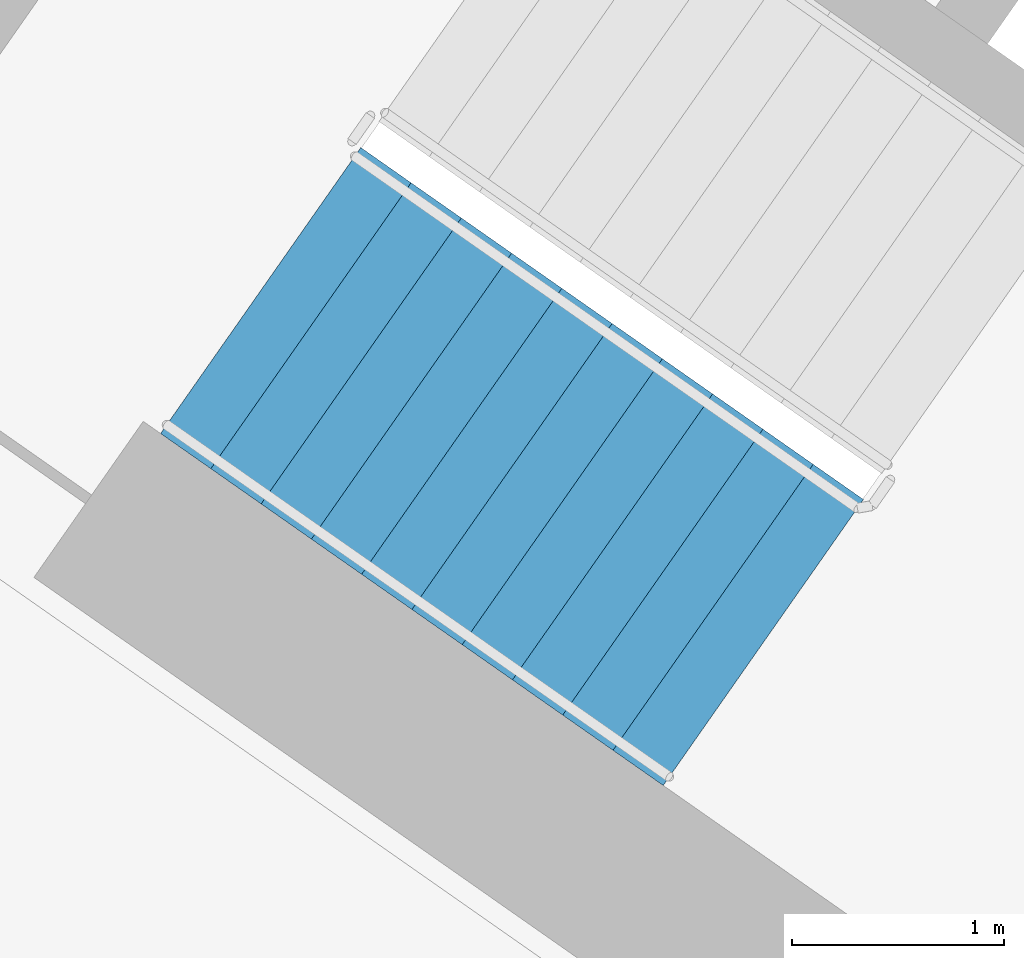
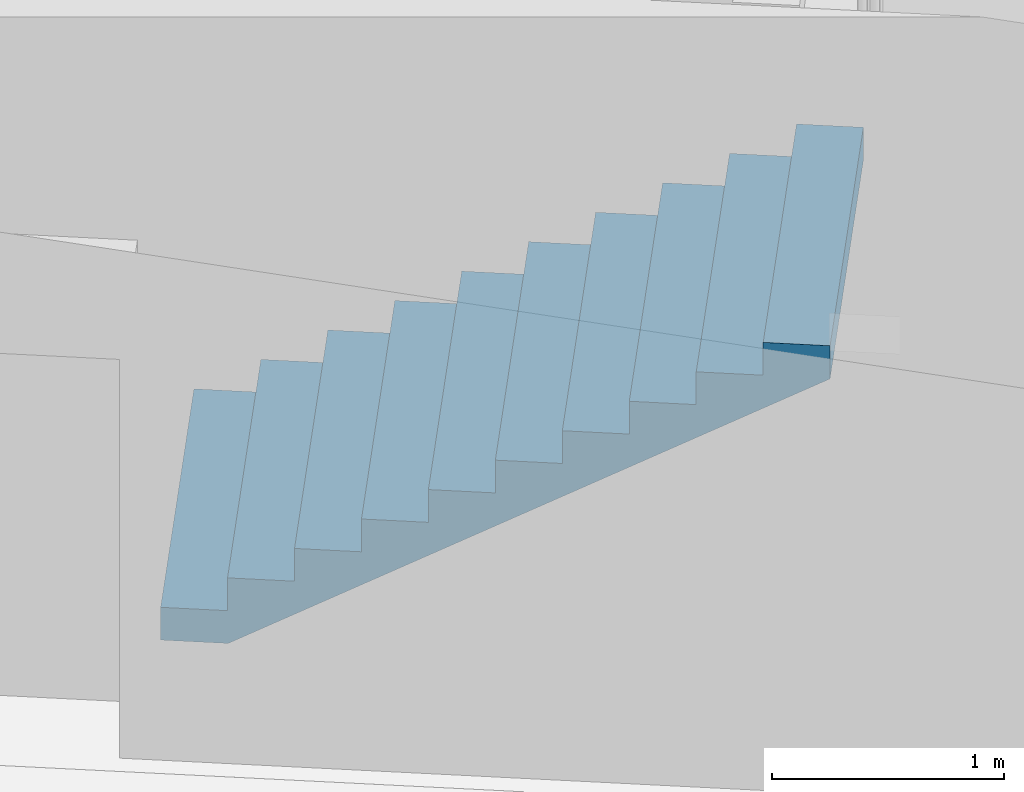
# One storey, part 10 of 35: 1 stair flight, 1 element without a shape of its own.
"""IFC4 building model written with IfcOpenShell, lengths in metres."""

from ifc_helpers import new_model, si_unit, direction, frame, origin, place, context, subcontext, project, spatial, faceted_brep, material, type_object, element, aggregate, save


model = new_model("IFC4")

# Units and contexts
model_context = context("Model", 3, precision=1e-05, world=origin(), true_north=direction((0.0, 1.0)))
body_context = subcontext(model_context, "Body", "Model", "MODEL_VIEW")
ifc_project = project(units=[si_unit("LENGTHUNIT", "METRE"), si_unit("AREAUNIT", "SQUARE_METRE"), si_unit("VOLUMEUNIT", "CUBIC_METRE"), si_unit("PLANEANGLEUNIT", "RADIAN"), si_unit("MASSUNIT", "GRAM", prefix="KILO")], contexts=[model_context])

# Site, building, storey
site_placement = place(None, origin())
site = spatial("IfcSite", under=ifc_project, at=site_placement, CompositionType="ELEMENT")
building_placement = place(site_placement, origin())
building = spatial("IfcBuilding", under=site, at=building_placement, Name="Qamariyya Broadcast Tower", CompositionType="ELEMENT")
storey_placement = place(building_placement, frame((0.0, 0.0, 40.5)))
storey = spatial("IfcBuildingStorey", under=building, at=storey_placement, Name="L06", CompositionType="ELEMENT", Elevation=40.5)

# Stair, stair flight
ifc_material = material(Name="Concrete C50/60", Category="concrete")
stair_type = type_object("IfcStairType", Name="Exit stair 22 risers of 173 mm", PredefinedType="HALF_TURN_STAIR", material=ifc_material)
stair_placement = place(storey_placement, origin())
stair = element("IfcStair", 1, at=stair_placement, inside=storey, type_object=stair_type, Name="L06 Stair W1", PredefinedType="HALF_TURN_STAIR")
stair_flight_type = type_object("IfcStairFlightType", Name="Exit stair flight 11 risers of 173 mm", PredefinedType="STRAIGHT", material=ifc_material)
stair_flight_placement = place(storey_placement, frame((-47.06884765625, -56.982666015625, 0.0), z_axis=(0.0, 0.0, 1.0), x_axis=(0.819152044289, -0.573576436351, 0.0)))
stair_flight = element("IfcStairFlight", 2, at=stair_flight_placement, type_object=stair_flight_type, Name="ST-W1 flight 1", NumberOfRisers=11, NumberOfTreads=10, PredefinedType="STRAIGHT", RiserHeight=0.172727273, TreadLength=0.29, context=body_context, shape_type="Brep", body=[
    faceted_brep([(0.0, 0.824951171875, 0.0), (0.0, 0.824951171875, 0.172607421875), (0.2900390625, 0.824951171875, 0.172607421875), (0.2900390625, 0.824951171875, 0.345458984375), (0.580078125, 0.824951171875, 0.345458984375), (0.580078125, 0.824951171875, 0.51806640625), (0.8701171875, 0.824951171875, 0.51806640625), (0.8701171875, 0.824951171875, 0.69091796875), (1.159912109375, 0.824951171875, 0.69091796875), (1.159912109375, 0.824951171875, 0.863525390625), (1.449951171875, 0.824951171875, 0.863525390625), (1.449951171875, 0.824951171875, 1.036376953125), (1.739990234375, 0.824951171875, 1.036376953125), (1.739990234375, 0.824951171875, 1.208984375), (2.030029296875, 0.824951171875, 1.208984375), (2.030029296875, 0.824951171875, 1.3818359375), (2.320068359375, 0.824951171875, 1.3818359375), (2.320068359375, 0.824951171875, 1.554443359375), (2.610107421875, 0.824951171875, 1.554443359375), (2.610107421875, 0.824951171875, 1.727294921875), (2.89990234375, 0.824951171875, 1.727294921875), (2.89990234375, 0.824951171875, 1.552734375), (0.29296875, 0.824951171875, 0.0), (0.29296875, -0.824951171875, 0.0), (2.89990234375, -0.824951171875, 1.552734375), (2.89990234375, -0.824951171875, 1.727294921875), (2.610107421875, -0.824951171875, 1.727294921875), (2.610107421875, -0.824951171875, 1.554443359375), (2.320068359375, -0.824951171875, 1.554443359375), (2.320068359375, -0.824951171875, 1.3818359375), (2.030029296875, -0.824951171875, 1.3818359375), (2.030029296875, -0.824951171875, 1.208984375), (1.739990234375, -0.824951171875, 1.208984375), (1.739990234375, -0.824951171875, 1.036376953125), (1.449951171875, -0.824951171875, 1.036376953125), (1.449951171875, -0.824951171875, 0.863525390625), (1.159912109375, -0.824951171875, 0.863525390625), (1.159912109375, -0.824951171875, 0.69091796875), (0.8701171875, -0.824951171875, 0.69091796875), (0.8701171875, -0.824951171875, 0.51806640625), (0.580078125, -0.824951171875, 0.51806640625), (0.580078125, -0.824951171875, 0.345458984375), (0.2900390625, -0.824951171875, 0.345458984375), (0.2900390625, -0.824951171875, 0.172607421875), (0.0, -0.824951171875, 0.172607421875), (0.0, -0.824951171875, 0.0), (0.0, 0.10009765625, 0.0), (0.0, 0.086669921875, 0.0), (0.0, 0.0732421875, 0.0), (0.0, 0.06005859375, 0.0), (0.0, 0.046630859375, 0.0), (0.0, 0.033447265625, 0.0), (0.0, 0.02001953125, 0.0), (0.0, 0.006591796875, 0.0), (0.0, -0.006591796875, 0.0), (0.0, -0.02001953125, 0.0), (0.0, -0.033447265625, 0.0), (0.0, -0.046630859375, 0.0), (0.0, -0.06005859375, 0.0), (0.0, -0.0732421875, 0.0), (0.0, -0.086669921875, 0.0), (0.0, -0.10009765625, 0.0), (0.0, -0.10009765625, 0.172607421875), (0.0, -0.086669921875, 0.172607421875), (0.0, -0.0732421875, 0.172607421875), (0.0, -0.06005859375, 0.172607421875), (0.0, -0.046630859375, 0.172607421875), (0.0, -0.033447265625, 0.172607421875), (0.0, -0.02001953125, 0.172607421875), (0.0, -0.006591796875, 0.172607421875), (0.0, 0.006591796875, 0.172607421875), (0.0, 0.02001953125, 0.172607421875), (0.0, 0.033447265625, 0.172607421875), (0.0, 0.046630859375, 0.172607421875), (0.0, 0.06005859375, 0.172607421875), (0.0, 0.0732421875, 0.172607421875), (0.0, 0.086669921875, 0.172607421875), (0.0, 0.10009765625, 0.172607421875), (0.2900390625, -0.10009765625, 0.172607421875), (0.2900390625, -0.086669921875, 0.172607421875), (0.2900390625, -0.0732421875, 0.172607421875), (0.2900390625, -0.06005859375, 0.172607421875), (0.2900390625, -0.046630859375, 0.172607421875), (0.2900390625, -0.033447265625, 0.172607421875), (0.2900390625, -0.02001953125, 0.172607421875), (0.2900390625, -0.006591796875, 0.172607421875), (0.2900390625, 0.006591796875, 0.172607421875), (0.2900390625, 0.02001953125, 0.172607421875), (0.2900390625, 0.033447265625, 0.172607421875), (0.2900390625, 0.046630859375, 0.172607421875), (0.2900390625, 0.06005859375, 0.172607421875), (0.2900390625, 0.0732421875, 0.172607421875), (0.2900390625, 0.086669921875, 0.172607421875), (0.2900390625, 0.10009765625, 0.172607421875), (0.2900390625, -0.10009765625, 0.345458984375), (0.2900390625, -0.086669921875, 0.345458984375), (0.2900390625, -0.0732421875, 0.345458984375), (0.2900390625, -0.06005859375, 0.345458984375), (0.2900390625, -0.046630859375, 0.345458984375), (0.2900390625, -0.033447265625, 0.345458984375), (0.2900390625, -0.02001953125, 0.345458984375), (0.2900390625, -0.006591796875, 0.345458984375), (0.2900390625, 0.006591796875, 0.345458984375), (0.2900390625, 0.02001953125, 0.345458984375), (0.2900390625, 0.033447265625, 0.345458984375), (0.2900390625, 0.046630859375, 0.345458984375), (0.2900390625, 0.06005859375, 0.345458984375), (0.2900390625, 0.0732421875, 0.345458984375), (0.2900390625, 0.086669921875, 0.345458984375), (0.2900390625, 0.10009765625, 0.345458984375), (0.580078125, -0.10009765625, 0.345458984375), (0.580078125, -0.086669921875, 0.345458984375), (0.580078125, -0.0732421875, 0.345458984375), (0.580078125, -0.06005859375, 0.345458984375), (0.580078125, -0.046630859375, 0.345458984375), (0.580078125, -0.033447265625, 0.345458984375), (0.580078125, -0.02001953125, 0.345458984375), (0.580078125, -0.006591796875, 0.345458984375), (0.580078125, 0.006591796875, 0.345458984375), (0.580078125, 0.02001953125, 0.345458984375), (0.580078125, 0.033447265625, 0.345458984375), (0.580078125, 0.046630859375, 0.345458984375), (0.580078125, 0.06005859375, 0.345458984375), (0.580078125, 0.0732421875, 0.345458984375), (0.580078125, 0.086669921875, 0.345458984375), (0.580078125, 0.10009765625, 0.345458984375), (0.580078125, -0.10009765625, 0.51806640625), (0.580078125, -0.086669921875, 0.51806640625), (0.580078125, -0.0732421875, 0.51806640625), (0.580078125, -0.06005859375, 0.51806640625), (0.580078125, -0.046630859375, 0.51806640625), (0.580078125, -0.033447265625, 0.51806640625), (0.580078125, -0.02001953125, 0.51806640625), (0.580078125, -0.006591796875, 0.51806640625), (0.580078125, 0.006591796875, 0.51806640625), (0.580078125, 0.02001953125, 0.51806640625), (0.580078125, 0.033447265625, 0.51806640625), (0.580078125, 0.046630859375, 0.51806640625), (0.580078125, 0.06005859375, 0.51806640625), (0.580078125, 0.0732421875, 0.51806640625), (0.580078125, 0.086669921875, 0.51806640625), (0.580078125, 0.10009765625, 0.51806640625), (0.8701171875, -0.10009765625, 0.51806640625), (0.8701171875, -0.086669921875, 0.51806640625), (0.8701171875, -0.0732421875, 0.51806640625), (0.8701171875, -0.06005859375, 0.51806640625), (0.8701171875, -0.046630859375, 0.51806640625), (0.8701171875, -0.033447265625, 0.51806640625), (0.8701171875, -0.02001953125, 0.51806640625), (0.8701171875, -0.006591796875, 0.51806640625), (0.8701171875, 0.006591796875, 0.51806640625), (0.8701171875, 0.02001953125, 0.51806640625), (0.8701171875, 0.033447265625, 0.51806640625), (0.8701171875, 0.046630859375, 0.51806640625), (0.8701171875, 0.06005859375, 0.51806640625), (0.8701171875, 0.0732421875, 0.51806640625), (0.8701171875, 0.086669921875, 0.51806640625), (0.8701171875, 0.10009765625, 0.51806640625), (0.8701171875, -0.10009765625, 0.69091796875), (0.8701171875, -0.086669921875, 0.69091796875), (0.8701171875, -0.0732421875, 0.69091796875), (0.8701171875, -0.06005859375, 0.69091796875), (0.8701171875, -0.046630859375, 0.69091796875), (0.8701171875, -0.033447265625, 0.69091796875), (0.8701171875, -0.02001953125, 0.69091796875), (0.8701171875, -0.006591796875, 0.69091796875), (0.8701171875, 0.006591796875, 0.69091796875), (0.8701171875, 0.02001953125, 0.69091796875), (0.8701171875, 0.033447265625, 0.69091796875), (0.8701171875, 0.046630859375, 0.69091796875), (0.8701171875, 0.06005859375, 0.69091796875), (0.8701171875, 0.0732421875, 0.69091796875), (0.8701171875, 0.086669921875, 0.69091796875), (0.8701171875, 0.10009765625, 0.69091796875), (1.159912109375, -0.10009765625, 0.69091796875), (1.159912109375, -0.086669921875, 0.69091796875), (1.159912109375, -0.0732421875, 0.69091796875), (1.159912109375, -0.06005859375, 0.69091796875), (1.159912109375, -0.046630859375, 0.69091796875), (1.159912109375, -0.033447265625, 0.69091796875), (1.159912109375, -0.02001953125, 0.69091796875), (1.159912109375, -0.006591796875, 0.69091796875), (1.159912109375, 0.006591796875, 0.69091796875), (1.159912109375, 0.02001953125, 0.69091796875), (1.159912109375, 0.033447265625, 0.69091796875), (1.159912109375, 0.046630859375, 0.69091796875), (1.159912109375, 0.06005859375, 0.69091796875), (1.159912109375, 0.0732421875, 0.69091796875), (1.159912109375, 0.086669921875, 0.69091796875), (1.159912109375, 0.10009765625, 0.69091796875), (1.159912109375, -0.10009765625, 0.863525390625), (1.159912109375, -0.086669921875, 0.863525390625), (1.159912109375, -0.0732421875, 0.863525390625), (1.159912109375, -0.06005859375, 0.863525390625), (1.159912109375, -0.046630859375, 0.863525390625), (1.159912109375, -0.033447265625, 0.863525390625), (1.159912109375, -0.02001953125, 0.863525390625), (1.159912109375, -0.006591796875, 0.863525390625), (1.159912109375, 0.006591796875, 0.863525390625), (1.159912109375, 0.02001953125, 0.863525390625), (1.159912109375, 0.033447265625, 0.863525390625), (1.159912109375, 0.046630859375, 0.863525390625), (1.159912109375, 0.06005859375, 0.863525390625), (1.159912109375, 0.0732421875, 0.863525390625), (1.159912109375, 0.086669921875, 0.863525390625), (1.159912109375, 0.10009765625, 0.863525390625), (1.449951171875, -0.10009765625, 0.863525390625), (1.449951171875, -0.086669921875, 0.863525390625), (1.449951171875, -0.0732421875, 0.863525390625), (1.449951171875, -0.06005859375, 0.863525390625), (1.449951171875, -0.046630859375, 0.863525390625), (1.449951171875, -0.033447265625, 0.863525390625), (1.449951171875, -0.02001953125, 0.863525390625), (1.449951171875, -0.006591796875, 0.863525390625), (1.449951171875, 0.006591796875, 0.863525390625), (1.449951171875, 0.02001953125, 0.863525390625), (1.449951171875, 0.033447265625, 0.863525390625), (1.449951171875, 0.046630859375, 0.863525390625), (1.449951171875, 0.06005859375, 0.863525390625), (1.449951171875, 0.0732421875, 0.863525390625), (1.449951171875, 0.086669921875, 0.863525390625), (1.449951171875, 0.10009765625, 0.863525390625), (1.449951171875, -0.10009765625, 1.036376953125), (1.449951171875, -0.086669921875, 1.036376953125), (1.449951171875, -0.0732421875, 1.036376953125), (1.449951171875, -0.06005859375, 1.036376953125), (1.449951171875, -0.046630859375, 1.036376953125), (1.449951171875, -0.033447265625, 1.036376953125), (1.449951171875, -0.02001953125, 1.036376953125), (1.449951171875, -0.006591796875, 1.036376953125), (1.449951171875, 0.006591796875, 1.036376953125), (1.449951171875, 0.02001953125, 1.036376953125), (1.449951171875, 0.033447265625, 1.036376953125), (1.449951171875, 0.046630859375, 1.036376953125), (1.449951171875, 0.06005859375, 1.036376953125), (1.449951171875, 0.0732421875, 1.036376953125), (1.449951171875, 0.086669921875, 1.036376953125), (1.449951171875, 0.10009765625, 1.036376953125), (1.739990234375, -0.10009765625, 1.036376953125), (1.739990234375, -0.086669921875, 1.036376953125), (1.739990234375, -0.0732421875, 1.036376953125), (1.739990234375, -0.06005859375, 1.036376953125), (1.739990234375, -0.046630859375, 1.036376953125), (1.739990234375, -0.033447265625, 1.036376953125), (1.739990234375, -0.02001953125, 1.036376953125), (1.739990234375, -0.006591796875, 1.036376953125), (1.739990234375, 0.006591796875, 1.036376953125), (1.739990234375, 0.02001953125, 1.036376953125), (1.739990234375, 0.033447265625, 1.036376953125), (1.739990234375, 0.046630859375, 1.036376953125), (1.739990234375, 0.06005859375, 1.036376953125), (1.739990234375, 0.0732421875, 1.036376953125), (1.739990234375, 0.086669921875, 1.036376953125), (1.739990234375, 0.10009765625, 1.036376953125), (1.739990234375, -0.10009765625, 1.208984375), (1.739990234375, -0.086669921875, 1.208984375), (1.739990234375, -0.0732421875, 1.208984375), (1.739990234375, -0.06005859375, 1.208984375), (1.739990234375, -0.046630859375, 1.208984375), (1.739990234375, -0.033447265625, 1.208984375), (1.739990234375, -0.02001953125, 1.208984375), (1.739990234375, -0.006591796875, 1.208984375), (1.739990234375, 0.006591796875, 1.208984375), (1.739990234375, 0.02001953125, 1.208984375), (1.739990234375, 0.033447265625, 1.208984375), (1.739990234375, 0.046630859375, 1.208984375), (1.739990234375, 0.06005859375, 1.208984375), (1.739990234375, 0.0732421875, 1.208984375), (1.739990234375, 0.086669921875, 1.208984375), (1.739990234375, 0.10009765625, 1.208984375), (2.030029296875, -0.10009765625, 1.208984375), (2.030029296875, -0.086669921875, 1.208984375), (2.030029296875, -0.0732421875, 1.208984375), (2.030029296875, -0.06005859375, 1.208984375), (2.030029296875, -0.046630859375, 1.208984375), (2.030029296875, -0.033447265625, 1.208984375), (2.030029296875, -0.02001953125, 1.208984375), (2.030029296875, -0.006591796875, 1.208984375), (2.030029296875, 0.006591796875, 1.208984375), (2.030029296875, 0.02001953125, 1.208984375), (2.030029296875, 0.033447265625, 1.208984375), (2.030029296875, 0.046630859375, 1.208984375), (2.030029296875, 0.06005859375, 1.208984375), (2.030029296875, 0.0732421875, 1.208984375), (2.030029296875, 0.086669921875, 1.208984375), (2.030029296875, 0.10009765625, 1.208984375), (2.030029296875, -0.10009765625, 1.3818359375), (2.030029296875, -0.086669921875, 1.3818359375), (2.030029296875, -0.0732421875, 1.3818359375), (2.030029296875, -0.06005859375, 1.3818359375), (2.030029296875, -0.046630859375, 1.3818359375), (2.030029296875, -0.033447265625, 1.3818359375), (2.030029296875, -0.02001953125, 1.3818359375), (2.030029296875, -0.006591796875, 1.3818359375), (2.030029296875, 0.006591796875, 1.3818359375), (2.030029296875, 0.02001953125, 1.3818359375), (2.030029296875, 0.033447265625, 1.3818359375), (2.030029296875, 0.046630859375, 1.3818359375), (2.030029296875, 0.06005859375, 1.3818359375), (2.030029296875, 0.0732421875, 1.3818359375), (2.030029296875, 0.086669921875, 1.3818359375), (2.030029296875, 0.10009765625, 1.3818359375), (2.320068359375, -0.10009765625, 1.3818359375), (2.320068359375, -0.086669921875, 1.3818359375), (2.320068359375, -0.0732421875, 1.3818359375), (2.320068359375, -0.06005859375, 1.3818359375), (2.320068359375, -0.046630859375, 1.3818359375), (2.320068359375, -0.033447265625, 1.3818359375), (2.320068359375, -0.02001953125, 1.3818359375), (2.320068359375, -0.006591796875, 1.3818359375), (2.320068359375, 0.006591796875, 1.3818359375), (2.320068359375, 0.02001953125, 1.3818359375), (2.320068359375, 0.033447265625, 1.3818359375), (2.320068359375, 0.046630859375, 1.3818359375), (2.320068359375, 0.06005859375, 1.3818359375), (2.320068359375, 0.0732421875, 1.3818359375), (2.320068359375, 0.086669921875, 1.3818359375), (2.320068359375, 0.10009765625, 1.3818359375), (2.320068359375, -0.10009765625, 1.554443359375), (2.320068359375, -0.086669921875, 1.554443359375), (2.320068359375, -0.0732421875, 1.554443359375), (2.320068359375, -0.06005859375, 1.554443359375), (2.320068359375, -0.046630859375, 1.554443359375), (2.320068359375, -0.033447265625, 1.554443359375), (2.320068359375, -0.02001953125, 1.554443359375), (2.320068359375, -0.006591796875, 1.554443359375), (2.320068359375, 0.006591796875, 1.554443359375), (2.320068359375, 0.02001953125, 1.554443359375), (2.320068359375, 0.033447265625, 1.554443359375), (2.320068359375, 0.046630859375, 1.554443359375), (2.320068359375, 0.06005859375, 1.554443359375), (2.320068359375, 0.0732421875, 1.554443359375), (2.320068359375, 0.086669921875, 1.554443359375), (2.320068359375, 0.10009765625, 1.554443359375), (2.610107421875, -0.10009765625, 1.554443359375), (2.610107421875, -0.086669921875, 1.554443359375), (2.610107421875, -0.0732421875, 1.554443359375), (2.610107421875, -0.06005859375, 1.554443359375), (2.610107421875, -0.046630859375, 1.554443359375), (2.610107421875, -0.033447265625, 1.554443359375), (2.610107421875, -0.02001953125, 1.554443359375), (2.610107421875, -0.006591796875, 1.554443359375), (2.610107421875, 0.006591796875, 1.554443359375), (2.610107421875, 0.02001953125, 1.554443359375), (2.610107421875, 0.033447265625, 1.554443359375), (2.610107421875, 0.046630859375, 1.554443359375), (2.610107421875, 0.06005859375, 1.554443359375), (2.610107421875, 0.0732421875, 1.554443359375), (2.610107421875, 0.086669921875, 1.554443359375), (2.610107421875, 0.10009765625, 1.554443359375), (2.610107421875, -0.10009765625, 1.727294921875), (2.610107421875, -0.086669921875, 1.727294921875), (2.610107421875, -0.0732421875, 1.727294921875), (2.610107421875, -0.06005859375, 1.727294921875), (2.610107421875, -0.046630859375, 1.727294921875), (2.610107421875, -0.033447265625, 1.727294921875), (2.610107421875, -0.02001953125, 1.727294921875), (2.610107421875, -0.006591796875, 1.727294921875), (2.610107421875, 0.006591796875, 1.727294921875), (2.610107421875, 0.02001953125, 1.727294921875), (2.610107421875, 0.033447265625, 1.727294921875), (2.610107421875, 0.046630859375, 1.727294921875), (2.610107421875, 0.06005859375, 1.727294921875), (2.610107421875, 0.0732421875, 1.727294921875), (2.610107421875, 0.086669921875, 1.727294921875), (2.610107421875, 0.10009765625, 1.727294921875), (2.89990234375, -0.10009765625, 1.727294921875), (2.89990234375, -0.086669921875, 1.727294921875), (2.89990234375, -0.0732421875, 1.727294921875), (2.89990234375, -0.06005859375, 1.727294921875), (2.89990234375, -0.046630859375, 1.727294921875), (2.89990234375, -0.033447265625, 1.727294921875), (2.89990234375, -0.02001953125, 1.727294921875), (2.89990234375, -0.006591796875, 1.727294921875), (2.89990234375, 0.006591796875, 1.727294921875), (2.89990234375, 0.02001953125, 1.727294921875), (2.89990234375, 0.033447265625, 1.727294921875), (2.89990234375, 0.046630859375, 1.727294921875), (2.89990234375, 0.06005859375, 1.727294921875), (2.89990234375, 0.0732421875, 1.727294921875), (2.89990234375, 0.086669921875, 1.727294921875), (2.89990234375, 0.10009765625, 1.727294921875), (2.89990234375, -0.10009765625, 1.552734375), (2.89990234375, -0.086669921875, 1.552734375), (2.89990234375, -0.0732421875, 1.552734375), (2.89990234375, -0.06005859375, 1.552734375), (2.89990234375, -0.046630859375, 1.552734375), (2.89990234375, -0.033447265625, 1.552734375), (2.89990234375, -0.02001953125, 1.552734375), (2.89990234375, -0.006591796875, 1.552734375), (2.89990234375, 0.006591796875, 1.552734375), (2.89990234375, 0.02001953125, 1.552734375), (2.89990234375, 0.033447265625, 1.552734375), (2.89990234375, 0.046630859375, 1.552734375), (2.89990234375, 0.06005859375, 1.552734375), (2.89990234375, 0.0732421875, 1.552734375), (2.89990234375, 0.086669921875, 1.552734375), (2.89990234375, 0.10009765625, 1.552734375), (0.29296875, -0.10009765625, 0.0), (0.29296875, -0.086669921875, 0.0), (0.29296875, -0.0732421875, 0.0), (0.29296875, -0.06005859375, 0.0), (0.29296875, -0.046630859375, 0.0), (0.29296875, -0.033447265625, 0.0), (0.29296875, -0.02001953125, 0.0), (0.29296875, -0.006591796875, 0.0), (0.29296875, 0.006591796875, 0.0), (0.29296875, 0.02001953125, 0.0), (0.29296875, 0.033447265625, 0.0), (0.29296875, 0.046630859375, 0.0), (0.29296875, 0.06005859375, 0.0), (0.29296875, 0.0732421875, 0.0), (0.29296875, 0.086669921875, 0.0), (0.29296875, 0.10009765625, 0.0)], [[[0, 1, 2, 3, 4, 5, 6, 7, 8, 9, 10, 11, 12, 13, 14, 15, 16, 17, 18, 19, 20, 21, 22]], [[23, 24, 25, 26, 27, 28, 29, 30, 31, 32, 33, 34, 35, 36, 37, 38, 39, 40, 41, 42, 43, 44, 45]], [[0, 46, 47, 48, 49, 50, 51, 52, 53, 54, 55, 56, 57, 58, 59, 60, 61, 45, 44, 62, 63, 64, 65, 66, 67, 68, 69, 70, 71, 72, 73, 74, 75, 76, 77, 1]], [[1, 77, 76, 75, 74, 73, 72, 71, 70, 69, 68, 67, 66, 65, 64, 63, 62, 44, 43, 78, 79, 80, 81, 82, 83, 84, 85, 86, 87, 88, 89, 90, 91, 92, 93, 2]], [[2, 93, 92, 91, 90, 89, 88, 87, 86, 85, 84, 83, 82, 81, 80, 79, 78, 43, 42, 94, 95, 96, 97, 98, 99, 100, 101, 102, 103, 104, 105, 106, 107, 108, 109, 3]], [[3, 109, 108, 107, 106, 105, 104, 103, 102, 101, 100, 99, 98, 97, 96, 95, 94, 42, 41, 110, 111, 112, 113, 114, 115, 116, 117, 118, 119, 120, 121, 122, 123, 124, 125, 4]], [[4, 125, 124, 123, 122, 121, 120, 119, 118, 117, 116, 115, 114, 113, 112, 111, 110, 41, 40, 126, 127, 128, 129, 130, 131, 132, 133, 134, 135, 136, 137, 138, 139, 140, 141, 5]], [[5, 141, 140, 139, 138, 137, 136, 135, 134, 133, 132, 131, 130, 129, 128, 127, 126, 40, 39, 142, 143, 144, 145, 146, 147, 148, 149, 150, 151, 152, 153, 154, 155, 156, 157, 6]], [[6, 157, 156, 155, 154, 153, 152, 151, 150, 149, 148, 147, 146, 145, 144, 143, 142, 39, 38, 158, 159, 160, 161, 162, 163, 164, 165, 166, 167, 168, 169, 170, 171, 172, 173, 7]], [[7, 173, 172, 171, 170, 169, 168, 167, 166, 165, 164, 163, 162, 161, 160, 159, 158, 38, 37, 174, 175, 176, 177, 178, 179, 180, 181, 182, 183, 184, 185, 186, 187, 188, 189, 8]], [[8, 189, 188, 187, 186, 185, 184, 183, 182, 181, 180, 179, 178, 177, 176, 175, 174, 37, 36, 190, 191, 192, 193, 194, 195, 196, 197, 198, 199, 200, 201, 202, 203, 204, 205, 9]], [[9, 205, 204, 203, 202, 201, 200, 199, 198, 197, 196, 195, 194, 193, 192, 191, 190, 36, 35, 206, 207, 208, 209, 210, 211, 212, 213, 214, 215, 216, 217, 218, 219, 220, 221, 10]], [[10, 221, 220, 219, 218, 217, 216, 215, 214, 213, 212, 211, 210, 209, 208, 207, 206, 35, 34, 222, 223, 224, 225, 226, 227, 228, 229, 230, 231, 232, 233, 234, 235, 236, 237, 11]], [[11, 237, 236, 235, 234, 233, 232, 231, 230, 229, 228, 227, 226, 225, 224, 223, 222, 34, 33, 238, 239, 240, 241, 242, 243, 244, 245, 246, 247, 248, 249, 250, 251, 252, 253, 12]], [[12, 253, 252, 251, 250, 249, 248, 247, 246, 245, 244, 243, 242, 241, 240, 239, 238, 33, 32, 254, 255, 256, 257, 258, 259, 260, 261, 262, 263, 264, 265, 266, 267, 268, 269, 13]], [[13, 269, 268, 267, 266, 265, 264, 263, 262, 261, 260, 259, 258, 257, 256, 255, 254, 32, 31, 270, 271, 272, 273, 274, 275, 276, 277, 278, 279, 280, 281, 282, 283, 284, 285, 14]], [[14, 285, 284, 283, 282, 281, 280, 279, 278, 277, 276, 275, 274, 273, 272, 271, 270, 31, 30, 286, 287, 288, 289, 290, 291, 292, 293, 294, 295, 296, 297, 298, 299, 300, 301, 15]], [[15, 301, 300, 299, 298, 297, 296, 295, 294, 293, 292, 291, 290, 289, 288, 287, 286, 30, 29, 302, 303, 304, 305, 306, 307, 308, 309, 310, 311, 312, 313, 314, 315, 316, 317, 16]], [[16, 317, 316, 315, 314, 313, 312, 311, 310, 309, 308, 307, 306, 305, 304, 303, 302, 29, 28, 318, 319, 320, 321, 322, 323, 324, 325, 326, 327, 328, 329, 330, 331, 332, 333, 17]], [[17, 333, 332, 331, 330, 329, 328, 327, 326, 325, 324, 323, 322, 321, 320, 319, 318, 28, 27, 334, 335, 336, 337, 338, 339, 340, 341, 342, 343, 344, 345, 346, 347, 348, 349, 18]], [[18, 349, 348, 347, 346, 345, 344, 343, 342, 341, 340, 339, 338, 337, 336, 335, 334, 27, 26, 350, 351, 352, 353, 354, 355, 356, 357, 358, 359, 360, 361, 362, 363, 364, 365, 19]], [[19, 365, 364, 363, 362, 361, 360, 359, 358, 357, 356, 355, 354, 353, 352, 351, 350, 26, 25, 366, 367, 368, 369, 370, 371, 372, 373, 374, 375, 376, 377, 378, 379, 380, 381, 20]], [[20, 381, 380, 379, 378, 377, 376, 375, 374, 373, 372, 371, 370, 369, 368, 367, 366, 25, 24, 382, 383, 384, 385, 386, 387, 388, 389, 390, 391, 392, 393, 394, 395, 396, 397, 21]], [[21, 397, 396, 395, 394, 393, 392, 391, 390, 389, 388, 387, 386, 385, 384, 383, 382, 24, 23, 398, 399, 400, 401, 402, 403, 404, 405, 406, 407, 408, 409, 410, 411, 412, 413, 22]], [[22, 413, 412, 411, 410, 409, 408, 407, 406, 405, 404, 403, 402, 401, 400, 399, 398, 23, 45, 61, 60, 59, 58, 57, 56, 55, 54, 53, 52, 51, 50, 49, 48, 47, 46, 0]]]),
])
aggregate(stair, [stair_flight])

save(model, "model.ifc")
